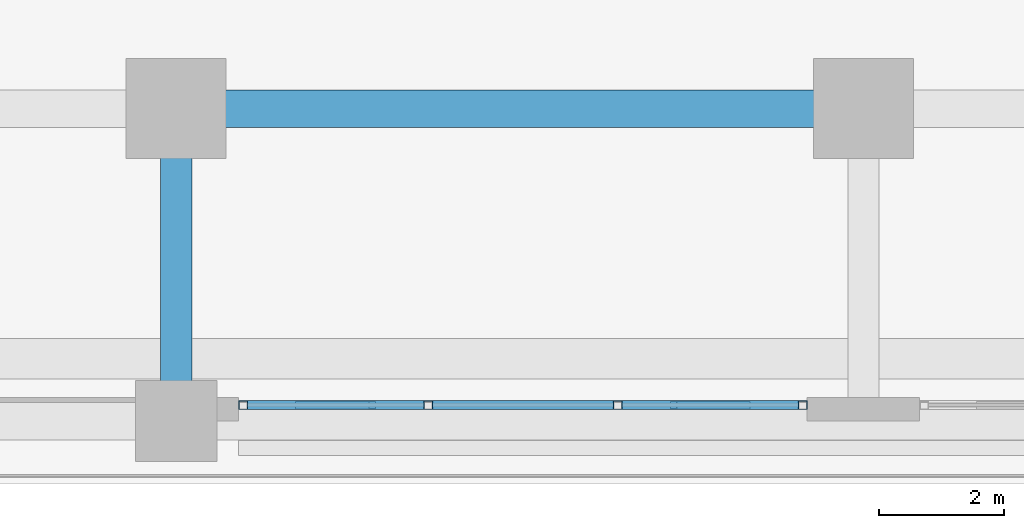
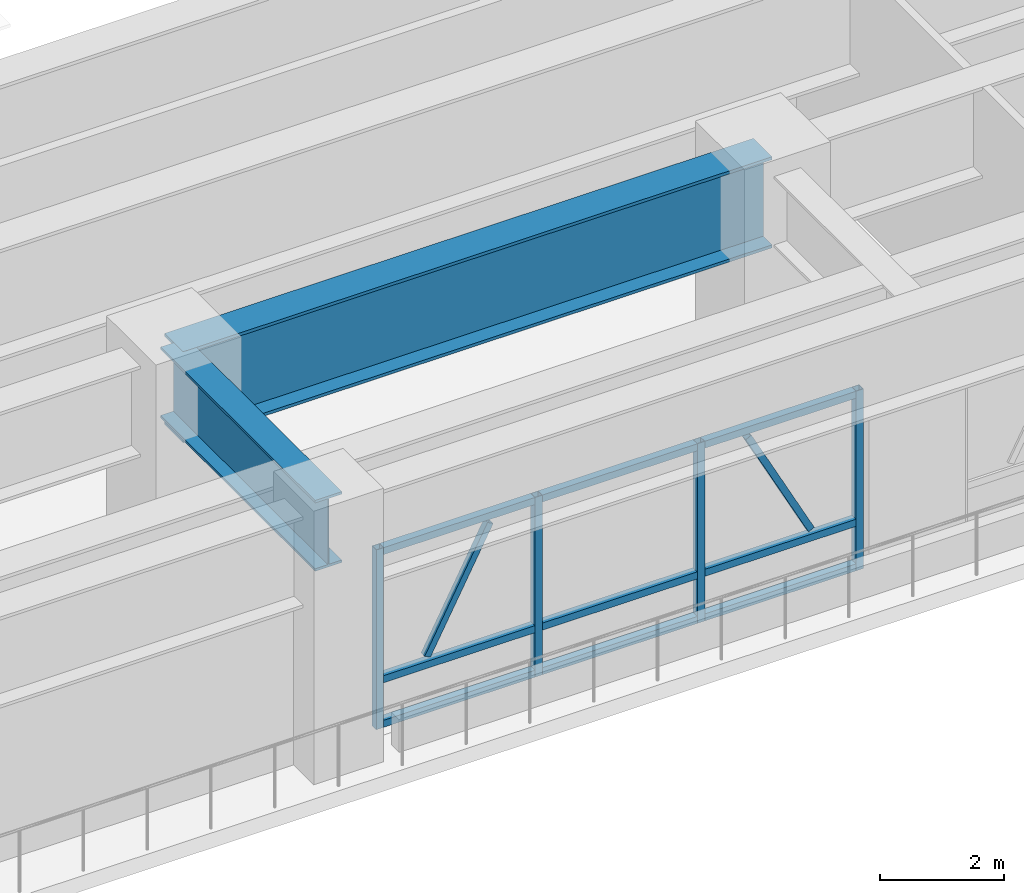
# One storey, part 2 of 28: 15 members, 2 beams, 1 element without a shape of its own.
"""IFC4 building model written with IfcOpenShell, lengths in metres."""

from ifc_helpers import new_model, si_unit, direction, frame, origin, origin_2d, place, context, subcontext, project, spatial, hollow_rectangle, i_section, extrude, source, transform, mapped, material, material_profile, profile_set, type_object, element, aggregate, save


model = new_model("IFC4")

# Units and contexts
model_context = context("Model", 3, precision=1e-05, world=origin(), true_north=direction((0.0, 1.0)))
body_context = subcontext(model_context, "Body", "Model", "MODEL_VIEW")
ifc_project = project(units=[si_unit("LENGTHUNIT", "METRE"), si_unit("AREAUNIT", "SQUARE_METRE"), si_unit("VOLUMEUNIT", "CUBIC_METRE"), si_unit("PLANEANGLEUNIT", "RADIAN"), si_unit("MASSUNIT", "GRAM", prefix="KILO")], contexts=[model_context])

# Site, building, storey
site_placement = place(None, origin())
site = spatial("IfcSite", under=ifc_project, at=site_placement, CompositionType="ELEMENT")
building_placement = place(site_placement, origin())
building = spatial("IfcBuilding", under=site, at=building_placement, Name="Khorayat Bourse Tower", CompositionType="ELEMENT")
storey_placement = place(building_placement, frame((0.0, 0.0, 6.60009765625)))
storey = spatial("IfcBuildingStorey", under=building, at=storey_placement, Name="L01", CompositionType="ELEMENT", Elevation=6.60009765625)

# Beams
ifc_material_1 = material(Name="Steel EN 10025-4 S460M", Category="steel")
ifc_material_profile_1 = material_profile(ifc_material_1, i_section(OverallWidth=0.60009765625, OverallDepth=1.800048828125, WebThickness=0.031982421875, FlangeThickness=0.06005859375, at=origin_2d()), Name="PG 1800x600x32x60")
ifc_profile_set_1 = profile_set([ifc_material_profile_1], Name="Steel EN 10025-4 S460M")
beam_type_1 = type_object("IfcBeamType", Name="BM-TR-1800", PredefinedType="BEAM", material=ifc_profile_set_1)
shared_shape_1 = source(origin(), body_context, "Body", "SweptSolid", [
    extrude(i_section(OverallWidth=0.60009765625, OverallDepth=1.800048828125, WebThickness=0.031982421875, FlangeThickness=0.06005859375, at=origin_2d()), origin(), (0.0, 0.0, 1.0), 11.0),
])
beam_1_placement = place(storey_placement, frame((-11.0, -32.0, 4.179931640625), z_axis=(1.0, 0.0, 0.0), x_axis=(0.0, 1.0, 0.0)))
element("IfcBeam", 1, at=beam_1_placement, inside=storey, type_object=beam_type_1, Name="L01 BM-TR-1800 BM-L01-PGX-039", PredefinedType="BEAM", context=body_context, shape_type="MappedRepresentation", body=[
    mapped(shared_shape_1, transform((0.0, 0.0, 0.0), scale=1.0)),
])
ifc_material_profile_2 = material_profile(ifc_material_1, i_section(OverallWidth=0.5, OverallDepth=1.39990234375, WebThickness=0.02490234375, FlangeThickness=0.050048828125, at=origin_2d()), Name="PG 1400x500x25x50")
ifc_profile_set_2 = profile_set([ifc_material_profile_2], Name="Steel EN 10025-4 S460M")
beam_type_2 = type_object("IfcBeamType", Name="BM-TR-1400", PredefinedType="BEAM", material=ifc_profile_set_2)
shared_shape_2 = source(origin(), body_context, "Body", "SweptSolid", [
    extrude(i_section(OverallWidth=0.5, OverallDepth=1.39990234375, WebThickness=0.02490234375, FlangeThickness=0.050048828125, at=origin_2d()), origin(), (0.0, 0.0, 1.0), 5.0),
])
beam_2_placement = place(storey_placement, frame((-11.0, -37.0, 4.3798828125), z_axis=(0.0, 1.0, 0.0), x_axis=(-1.0, 0.0, 0.0)))
element("IfcBeam", 2, at=beam_2_placement, inside=storey, type_object=beam_type_2, Name="L01 BM-TR-1400 BM-L01-PGY-128", PredefinedType="BEAM", context=body_context, shape_type="MappedRepresentation", body=[
    mapped(shared_shape_2, transform((0.0, 0.0, 0.0), scale=1.0)),
])

# Curtain wall, members
ifc_material_2 = material(Name="Aluminium EN AW-6063 T6", Category="aluminium")
curtain_wall_type = type_object("IfcCurtainWallType", Name="CW-SYS-01", PredefinedType="NOTDEFINED", material=ifc_material_2)
curtain_wall_placement = place(storey_placement, origin())
curtain_wall = element("IfcCurtainWall", 3, at=curtain_wall_placement, inside=storey, type_object=curtain_wall_type, Name="L01 Curtain Wall CW-L01-SW", PredefinedType="NOTDEFINED")
ifc_material_profile_3 = material_profile(ifc_material_2, hollow_rectangle(XDim=0.139892578125, YDim=0.139892578125, WallThickness=0.006103515625, at=origin_2d()), Name="ALU 140x140x6")
ifc_profile_set_3 = profile_set([ifc_material_profile_3], Name="Aluminium EN AW-6063 T6")
member_type_1 = type_object("IfcMemberType", Name="CWM-VERT-140", PredefinedType="MULLION", material=ifc_profile_set_3)
shared_shape_3 = source(origin(), body_context, "Body", "SweptSolid", [
    extrude(hollow_rectangle(XDim=0.139892578125, YDim=0.139892578125, WallThickness=0.006103515625, at=origin_2d()), origin(), (0.0, 0.0, 1.0), 3.5498046875),
])
member_1_placement = place(storey_placement, frame((-9.929931640625, -36.742919921875, 0.0), z_axis=(0.0, 0.0, 1.0), x_axis=(0.0, 1.0, 0.0)))
member_1 = element("IfcMember", 4, at=member_1_placement, type_object=member_type_1, Name="CW-L01-SW Vertical Mullion 1", PredefinedType="MULLION", context=body_context, shape_type="MappedRepresentation", body=[
    mapped(shared_shape_3, transform((0.0, 0.0, 0.0), scale=1.0)),
])
member_2_placement = place(storey_placement, frame((-6.966552734375, -36.742919921875, 0.0), z_axis=(0.0, 0.0, 1.0), x_axis=(0.0, 1.0, 0.0)))
member_2 = element("IfcMember", 5, at=member_2_placement, type_object=member_type_1, Name="CW-L01-SW Vertical Mullion 2", PredefinedType="MULLION", context=body_context, shape_type="MappedRepresentation", body=[
    mapped(shared_shape_3, transform((0.0, 0.0, 0.0), scale=1.0)),
])
member_3_placement = place(storey_placement, frame((-3.933349609375, -36.742919921875, 0.0), z_axis=(0.0, 0.0, 1.0), x_axis=(0.0, 1.0, 0.0)))
member_3 = element("IfcMember", 6, at=member_3_placement, type_object=member_type_1, Name="CW-L01-SW Vertical Mullion 3", PredefinedType="MULLION", context=body_context, shape_type="MappedRepresentation", body=[
    mapped(shared_shape_3, transform((0.0, 0.0, 0.0), scale=1.0)),
])
member_4_placement = place(storey_placement, frame((-0.969970703125, -36.742919921875, 0.0), z_axis=(0.0, 0.0, 1.0), x_axis=(0.0, 1.0, 0.0)))
member_4 = element("IfcMember", 7, at=member_4_placement, type_object=member_type_1, Name="CW-L01-SW Vertical Mullion 4", PredefinedType="MULLION", context=body_context, shape_type="MappedRepresentation", body=[
    mapped(shared_shape_3, transform((0.0, 0.0, 0.0), scale=1.0)),
])
ifc_material_profile_4 = material_profile(ifc_material_2, hollow_rectangle(XDim=0.139892578125, YDim=0.139892578125, WallThickness=0.006103515625, at=origin_2d()), Name="ALU 140x140x6")
ifc_profile_set_4 = profile_set([ifc_material_profile_4], Name="Aluminium EN AW-6063 T6")
member_type_2 = type_object("IfcMemberType", Name="CWT-HORZ-140", PredefinedType="USERDEFINED", material=ifc_profile_set_4)
shared_shape_4 = source(origin(), body_context, "Body", "SweptSolid", [
    extrude(hollow_rectangle(XDim=0.139892578125, YDim=0.139892578125, WallThickness=0.006103515625, at=origin_2d()), origin(), (0.0, 0.0, 1.0), 2.823486328125),
])
member_5_placement = place(storey_placement, frame((-9.860107421875, -36.742919921875, 0.06982421875), z_axis=(1.0, 0.0, 0.0), x_axis=(0.0, 1.0, 0.0)))
member_5 = element("IfcMember", 8, at=member_5_placement, type_object=member_type_2, Name="CW-L01-SW Horizontal Transom 1-1", ObjectType="TRANSOM", PredefinedType="USERDEFINED", context=body_context, shape_type="MappedRepresentation", body=[
    mapped(shared_shape_4, transform((0.0, 0.0, 0.0), scale=1.0)),
])
member_6_placement = place(storey_placement, frame((-9.860107421875, -36.742919921875, 0.949951171875), z_axis=(1.0, 0.0, 0.0), x_axis=(0.0, 1.0, 0.0)))
member_6 = element("IfcMember", 9, at=member_6_placement, type_object=member_type_2, Name="CW-L01-SW Horizontal Transom 1-2", ObjectType="TRANSOM", PredefinedType="USERDEFINED", context=body_context, shape_type="MappedRepresentation", body=[
    mapped(shared_shape_4, transform((0.0, 0.0, 0.0), scale=1.0)),
])
member_7_placement = place(storey_placement, frame((-9.860107421875, -36.742919921875, 3.47998046875), z_axis=(1.0, 0.0, 0.0), x_axis=(0.0, 1.0, 0.0)))
member_7 = element("IfcMember", 10, at=member_7_placement, type_object=member_type_2, Name="CW-L01-SW Horizontal Transom 1-3", ObjectType="TRANSOM", PredefinedType="USERDEFINED", context=body_context, shape_type="MappedRepresentation", body=[
    mapped(shared_shape_4, transform((0.0, 0.0, 0.0), scale=1.0)),
])
ifc_material_profile_5 = material_profile(ifc_material_2, hollow_rectangle(XDim=0.1201171875, YDim=0.1201171875, WallThickness=0.0048828125, at=origin_2d()), Name="ALU 120x120x5")
ifc_profile_set_5 = profile_set([ifc_material_profile_5], Name="Aluminium EN AW-6063 T6")
member_type_3 = type_object("IfcMemberType", Name="CWM-DIAG-120", PredefinedType="MULLION", material=ifc_profile_set_5)
shared_shape_5 = source(origin(), body_context, "Body", "SweptSolid", [
    extrude(hollow_rectangle(XDim=0.1201171875, YDim=0.1201171875, WallThickness=0.0048828125, at=origin_2d()), origin(), (0.0, 0.0, 1.0), 2.52001953125),
])
member_8_placement = place(storey_placement, frame((-9.03515625, -36.742919921875, 1.099853515625), z_axis=(0.465718481425, 0.0, 0.884932933085), x_axis=(0.0, 1.0, 0.0)))
member_8 = element("IfcMember", 11, at=member_8_placement, type_object=member_type_3, Name="CW-L01-SW Faceted Diagonal Mullion 1", PredefinedType="MULLION", context=body_context, shape_type="MappedRepresentation", body=[
    mapped(shared_shape_5, transform((0.0, 0.0, 0.0), scale=1.0)),
])
member_9_placement = place(storey_placement, frame((-1.86474609375, -36.742919921875, 1.099853515625), z_axis=(-0.465794346287, 0.0, 0.884893003118), x_axis=(0.0, -1.0, 0.0)))
member_9 = element("IfcMember", 12, at=member_9_placement, type_object=member_type_3, Name="CW-L01-SW Faceted Diagonal Mullion 3", PredefinedType="MULLION", context=body_context, shape_type="MappedRepresentation", body=[
    mapped(shared_shape_5, transform((0.0, 0.0, 0.0), scale=1.0)),
])
shared_shape_6 = source(origin(), body_context, "Body", "SweptSolid", [
    extrude(hollow_rectangle(XDim=0.139892578125, YDim=0.139892578125, WallThickness=0.006103515625, at=origin_2d()), origin(), (0.0, 0.0, 1.0), 2.893310546875),
])
member_10_placement = place(storey_placement, frame((-6.896728515625, -36.742919921875, 0.06982421875), z_axis=(1.0, 0.0, 0.0), x_axis=(0.0, 1.0, 0.0)))
member_10 = element("IfcMember", 13, at=member_10_placement, type_object=member_type_2, Name="CW-L01-SW Horizontal Transom 2-1", ObjectType="TRANSOM", PredefinedType="USERDEFINED", context=body_context, shape_type="MappedRepresentation", body=[
    mapped(shared_shape_6, transform((0.0, 0.0, 0.0), scale=1.0)),
])
member_11_placement = place(storey_placement, frame((-6.896728515625, -36.742919921875, 0.949951171875), z_axis=(1.0, 0.0, 0.0), x_axis=(0.0, 1.0, 0.0)))
member_11 = element("IfcMember", 14, at=member_11_placement, type_object=member_type_2, Name="CW-L01-SW Horizontal Transom 2-2", ObjectType="TRANSOM", PredefinedType="USERDEFINED", context=body_context, shape_type="MappedRepresentation", body=[
    mapped(shared_shape_6, transform((0.0, 0.0, 0.0), scale=1.0)),
])
member_12_placement = place(storey_placement, frame((-6.896728515625, -36.742919921875, 3.47998046875), z_axis=(1.0, 0.0, 0.0), x_axis=(0.0, 1.0, 0.0)))
member_12 = element("IfcMember", 15, at=member_12_placement, type_object=member_type_2, Name="CW-L01-SW Horizontal Transom 2-3", ObjectType="TRANSOM", PredefinedType="USERDEFINED", context=body_context, shape_type="MappedRepresentation", body=[
    mapped(shared_shape_6, transform((0.0, 0.0, 0.0), scale=1.0)),
])
shared_shape_7 = source(origin(), body_context, "Body", "SweptSolid", [
    extrude(hollow_rectangle(XDim=0.139892578125, YDim=0.139892578125, WallThickness=0.006103515625, at=origin_2d()), origin(), (0.0, 0.0, 1.0), 2.8232421875),
])
member_13_placement = place(storey_placement, frame((-3.86328125, -36.742919921875, 0.06982421875), z_axis=(1.0, 0.0, 0.0), x_axis=(0.0, 1.0, 0.0)))
member_13 = element("IfcMember", 16, at=member_13_placement, type_object=member_type_2, Name="CW-L01-SW Horizontal Transom 3-1", ObjectType="TRANSOM", PredefinedType="USERDEFINED", context=body_context, shape_type="MappedRepresentation", body=[
    mapped(shared_shape_7, transform((0.0, 0.0, 0.0), scale=1.0)),
])
member_14_placement = place(storey_placement, frame((-3.86328125, -36.742919921875, 0.949951171875), z_axis=(1.0, 0.0, 0.0), x_axis=(0.0, 1.0, 0.0)))
member_14 = element("IfcMember", 17, at=member_14_placement, type_object=member_type_2, Name="CW-L01-SW Horizontal Transom 3-2", ObjectType="TRANSOM", PredefinedType="USERDEFINED", context=body_context, shape_type="MappedRepresentation", body=[
    mapped(shared_shape_7, transform((0.0, 0.0, 0.0), scale=1.0)),
])
member_15_placement = place(storey_placement, frame((-3.86328125, -36.742919921875, 3.47998046875), z_axis=(1.0, 0.0, 0.0), x_axis=(0.0, 1.0, 0.0)))
member_15 = element("IfcMember", 18, at=member_15_placement, type_object=member_type_2, Name="CW-L01-SW Horizontal Transom 3-3", ObjectType="TRANSOM", PredefinedType="USERDEFINED", context=body_context, shape_type="MappedRepresentation", body=[
    mapped(shared_shape_7, transform((0.0, 0.0, 0.0), scale=1.0)),
])
aggregate(curtain_wall, [member_1, member_2, member_3, member_4, member_5, member_6, member_7, member_8, member_10, member_11, member_12, member_13, member_14, member_15, member_9])

save(model, "model.ifc")
